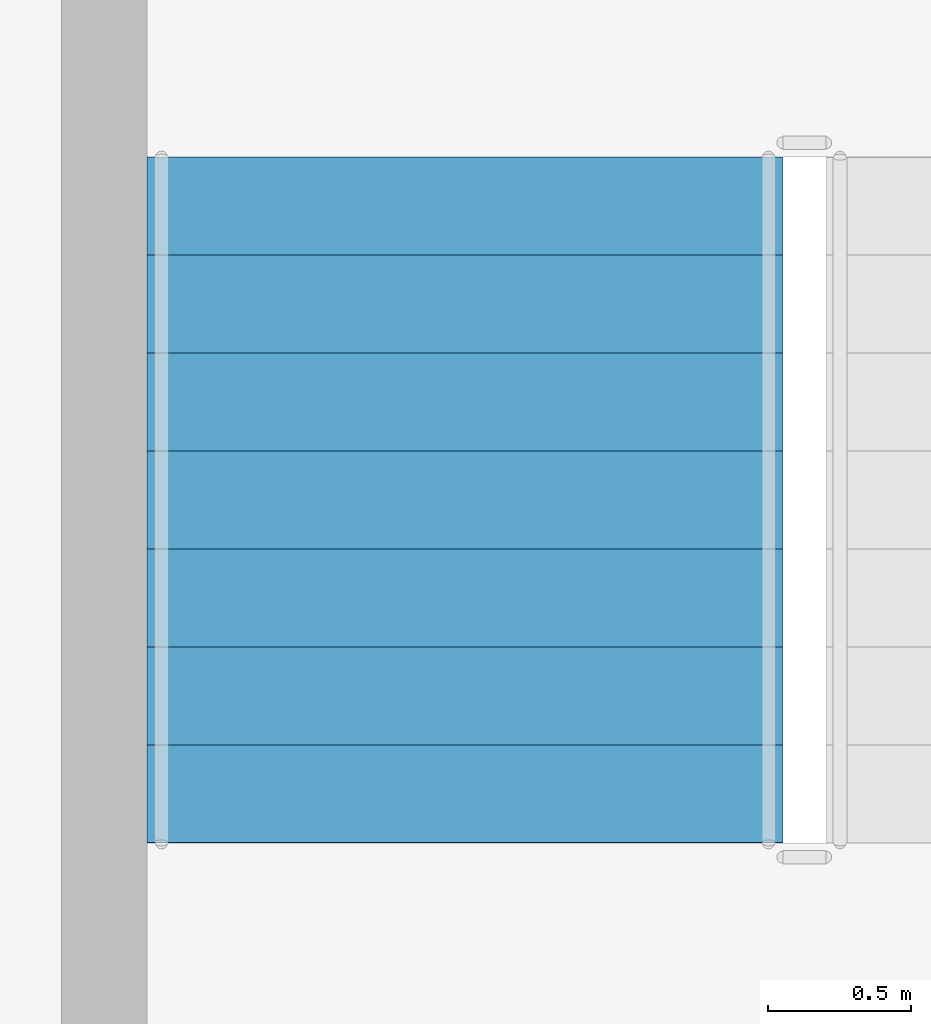
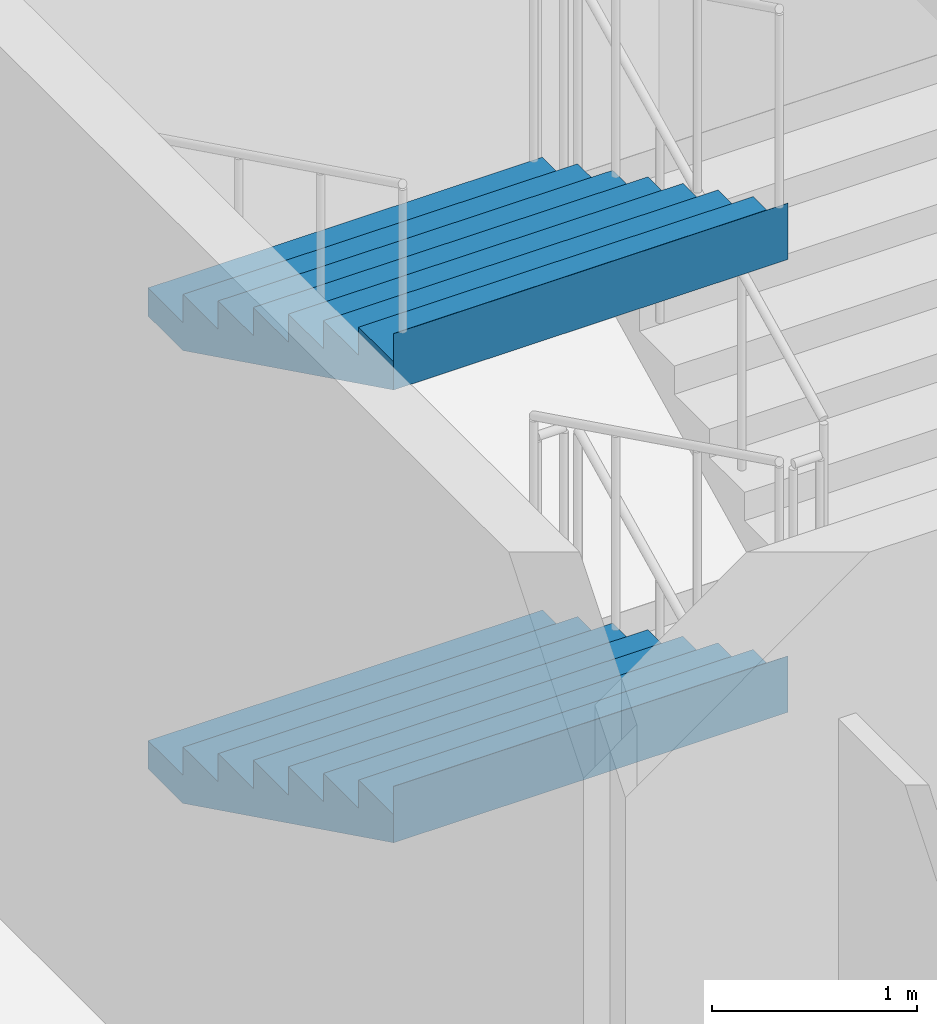
# One storey, part 36 of 42: 2 stair flights, 1 element without a shape of its own.
"""IFC4 building model written with IfcOpenShell, lengths in metres."""

from ifc_helpers import new_model, si_unit, direction, frame, origin, place, context, subcontext, project, spatial, triangles, material, type_object, element, aggregate, save


model = new_model("IFC4")

# Units and contexts
model_context = context("Model", 3, precision=1e-05, world=origin(), true_north=direction((0.0, 1.0)))
body_context = subcontext(model_context, "Body", "Model", "MODEL_VIEW")
ifc_project = project(units=[si_unit("LENGTHUNIT", "METRE"), si_unit("AREAUNIT", "SQUARE_METRE"), si_unit("VOLUMEUNIT", "CUBIC_METRE"), si_unit("PLANEANGLEUNIT", "RADIAN"), si_unit("MASSUNIT", "GRAM", prefix="KILO")], contexts=[model_context])

# Site, building, storey
site_placement = place(None, origin())
site = spatial("IfcSite", under=ifc_project, at=site_placement, CompositionType="ELEMENT")
building_placement = place(site_placement, origin())
building = spatial("IfcBuilding", under=site, at=building_placement, Name="Sahrelin Media Tower", CompositionType="ELEMENT")
storey_placement = place(building_placement, frame((0.0, 0.0, 26.0)))
storey = spatial("IfcBuildingStorey", under=building, at=storey_placement, Name="L03", CompositionType="ELEMENT", Elevation=26.0)

# Stair, stair flights
ifc_material = material(Name="Concrete C40/50", Category="concrete")
stair_type = type_object("IfcStairType", Name="Podium stair 2225", PredefinedType="HALF_TURN_STAIR", material=ifc_material)
stair_placement = place(storey_placement, origin())
stair = element("IfcStair", 1, at=stair_placement, inside=storey, type_object=stair_type, Name="L03 Podium stair PS2", PredefinedType="HALF_TURN_STAIR")
stair_flight_type = type_object("IfcStairFlightType", Name="Stair flight 2225", PredefinedType="STRAIGHT", material=ifc_material)
stair_flight_1_placement = place(storey_placement, frame((-11.83740234375, 33.02490234375, 1.35009765625), z_axis=(0.0, 0.0, 1.0), x_axis=(0.0, -1.0, 0.0)))
stair_flight_1 = element("IfcStairFlight", 2, at=stair_flight_1_placement, type_object=stair_flight_type, Name="PS2 flight 2", NumberOfRisers=8, NumberOfTreads=7, PredefinedType="STRAIGHT", RiserHeight=0.16875, TreadLength=0.342857143, context=body_context, shape_type="Tessellation", body=[
    triangles([(0.33935546875, 1.112548828125, 0.0), (0.33935546875, 0.794677734375, 0.0), (0.33935546875, 0.476806640625, 0.0), (0.33935546875, 0.158935546875, 0.0), (0.33935546875, -0.158935546875, 0.0), (0.33935546875, -0.476806640625, 0.0), (0.33935546875, -0.794677734375, 0.0), (0.33935546875, -1.112548828125, 0.0), (2.39990234375, 1.112548828125, 1.01416015625), (2.39990234375, 0.794677734375, 1.01416015625), (2.39990234375, 0.476806640625, 1.01416015625), (2.39990234375, 0.158935546875, 1.01416015625), (2.39990234375, -0.158935546875, 1.01416015625), (2.39990234375, -0.476806640625, 1.01416015625), (2.39990234375, -0.794677734375, 1.01416015625), (2.39990234375, -1.112548828125, 1.01416015625), (2.39990234375, 1.112548828125, 1.35009765625), (2.39990234375, 0.794677734375, 1.35009765625), (2.39990234375, 0.476806640625, 1.35009765625), (2.39990234375, 0.158935546875, 1.35009765625), (2.39990234375, -0.158935546875, 1.35009765625), (2.39990234375, -0.476806640625, 1.35009765625), (2.39990234375, -0.794677734375, 1.35009765625), (2.39990234375, -1.112548828125, 1.35009765625), (2.39794921875, 1.112548828125, 1.35009765625), (2.39794921875, 0.794677734375, 1.35009765625), (2.39794921875, 0.476806640625, 1.35009765625), (2.39794921875, 0.158935546875, 1.35009765625), (2.39794921875, -0.158935546875, 1.35009765625), (2.39794921875, -0.476806640625, 1.35009765625), (2.39794921875, -0.794677734375, 1.35009765625), (2.39794921875, -1.112548828125, 1.35009765625), (2.39794921875, 1.112548828125, 1.18115234375), (2.39794921875, 0.794677734375, 1.18115234375), (2.39794921875, 0.476806640625, 1.18115234375), (2.39794921875, 0.158935546875, 1.18115234375), (2.39794921875, -0.158935546875, 1.18115234375), (2.39794921875, -0.476806640625, 1.18115234375), (2.39794921875, -0.794677734375, 1.18115234375), (2.39794921875, -1.112548828125, 1.18115234375), (2.05712890625, 1.112548828125, 1.18115234375), (2.05712890625, 0.794677734375, 1.18115234375), (2.05712890625, 0.476806640625, 1.18115234375), (2.05712890625, 0.158935546875, 1.18115234375), (2.05712890625, -0.158935546875, 1.18115234375), (2.05712890625, -0.476806640625, 1.18115234375), (2.05712890625, -0.794677734375, 1.18115234375), (2.05712890625, -1.112548828125, 1.18115234375), (2.05712890625, 1.112548828125, 1.012451171875), (2.05712890625, 0.794677734375, 1.012451171875), (2.05712890625, 0.476806640625, 1.012451171875), (2.05712890625, 0.158935546875, 1.012451171875), (2.05712890625, -0.158935546875, 1.012451171875), (2.05712890625, -0.476806640625, 1.012451171875), (2.05712890625, -0.794677734375, 1.012451171875), (2.05712890625, -1.112548828125, 1.012451171875), (1.71435546875, 1.112548828125, 1.012451171875), (1.71435546875, 0.794677734375, 1.012451171875), (1.71435546875, 0.476806640625, 1.012451171875), (1.71435546875, 0.158935546875, 1.012451171875), (1.71435546875, -0.158935546875, 1.012451171875), (1.71435546875, -0.476806640625, 1.012451171875), (1.71435546875, -0.794677734375, 1.012451171875), (1.71435546875, -1.112548828125, 1.012451171875), (1.71435546875, 1.112548828125, 0.84375), (1.71435546875, 0.794677734375, 0.84375), (1.71435546875, 0.476806640625, 0.84375), (1.71435546875, 0.158935546875, 0.84375), (1.71435546875, -0.158935546875, 0.84375), (1.71435546875, -0.476806640625, 0.84375), (1.71435546875, -0.794677734375, 0.84375), (1.71435546875, -1.112548828125, 0.84375), (1.371337890625, 1.112548828125, 0.84375), (1.371337890625, 0.794677734375, 0.84375), (1.371337890625, 0.476806640625, 0.84375), (1.371337890625, 0.158935546875, 0.84375), (1.371337890625, -0.158935546875, 0.84375), (1.371337890625, -0.476806640625, 0.84375), (1.371337890625, -0.794677734375, 0.84375), (1.371337890625, -1.112548828125, 0.84375), (1.371337890625, 1.112548828125, 0.675048828125), (1.371337890625, 0.794677734375, 0.675048828125), (1.371337890625, 0.476806640625, 0.675048828125), (1.371337890625, 0.158935546875, 0.675048828125), (1.371337890625, -0.158935546875, 0.675048828125), (1.371337890625, -0.476806640625, 0.675048828125), (1.371337890625, -0.794677734375, 0.675048828125), (1.371337890625, -1.112548828125, 0.675048828125), (1.028564453125, 1.112548828125, 0.675048828125), (1.028564453125, 0.794677734375, 0.675048828125), (1.028564453125, 0.476806640625, 0.675048828125), (1.028564453125, 0.158935546875, 0.675048828125), (1.028564453125, -0.158935546875, 0.675048828125), (1.028564453125, -0.476806640625, 0.675048828125), (1.028564453125, -0.794677734375, 0.675048828125), (1.028564453125, -1.112548828125, 0.675048828125), (1.028564453125, 1.112548828125, 0.50634765625), (1.028564453125, 0.794677734375, 0.50634765625), (1.028564453125, 0.476806640625, 0.50634765625), (1.028564453125, 0.158935546875, 0.50634765625), (1.028564453125, -0.158935546875, 0.50634765625), (1.028564453125, -0.476806640625, 0.50634765625), (1.028564453125, -0.794677734375, 0.50634765625), (1.028564453125, -1.112548828125, 0.50634765625), (0.685791015625, 1.112548828125, 0.50634765625), (0.685791015625, 0.794677734375, 0.50634765625), (0.685791015625, 0.476806640625, 0.50634765625), (0.685791015625, 0.158935546875, 0.50634765625), (0.685791015625, -0.158935546875, 0.50634765625), (0.685791015625, -0.476806640625, 0.50634765625), (0.685791015625, -0.794677734375, 0.50634765625), (0.685791015625, -1.112548828125, 0.50634765625), (0.685791015625, 1.112548828125, 0.33740234375), (0.685791015625, 0.794677734375, 0.33740234375), (0.685791015625, 0.476806640625, 0.33740234375), (0.685791015625, 0.158935546875, 0.33740234375), (0.685791015625, -0.158935546875, 0.33740234375), (0.685791015625, -0.476806640625, 0.33740234375), (0.685791015625, -0.794677734375, 0.33740234375), (0.685791015625, -1.112548828125, 0.33740234375), (0.3427734375, 1.112548828125, 0.33740234375), (0.3427734375, 0.794677734375, 0.33740234375), (0.3427734375, 0.476806640625, 0.33740234375), (0.3427734375, 0.158935546875, 0.33740234375), (0.3427734375, -0.158935546875, 0.33740234375), (0.3427734375, -0.476806640625, 0.33740234375), (0.3427734375, -0.794677734375, 0.33740234375), (0.3427734375, -1.112548828125, 0.33740234375), (0.3427734375, 1.112548828125, 0.168701171875), (0.3427734375, 0.794677734375, 0.168701171875), (0.3427734375, 0.476806640625, 0.168701171875), (0.3427734375, 0.158935546875, 0.168701171875), (0.3427734375, -0.158935546875, 0.168701171875), (0.3427734375, -0.476806640625, 0.168701171875), (0.3427734375, -0.794677734375, 0.168701171875), (0.3427734375, -1.112548828125, 0.168701171875), (0.0, 1.112548828125, 0.168701171875), (0.0, 0.794677734375, 0.168701171875), (0.0, 0.476806640625, 0.168701171875), (0.0, 0.158935546875, 0.168701171875), (0.0, -0.158935546875, 0.168701171875), (0.0, -0.476806640625, 0.168701171875), (0.0, -0.794677734375, 0.168701171875), (0.0, -1.112548828125, 0.168701171875), (0.0, 1.112548828125, 0.0), (0.0, 0.794677734375, 0.0), (0.0, 0.476806640625, 0.0), (0.0, 0.158935546875, 0.0), (0.0, -0.158935546875, 0.0), (0.0, -0.476806640625, 0.0), (0.0, -0.794677734375, 0.0), (0.0, -1.112548828125, 0.0)], [[1, 9, 10], [1, 10, 2], [2, 10, 11], [2, 11, 3], [3, 11, 12], [3, 12, 4], [4, 12, 13], [4, 13, 5], [5, 13, 14], [5, 14, 6], [6, 14, 15], [6, 15, 7], [7, 15, 16], [7, 16, 8], [9, 17, 18], [9, 18, 10], [10, 18, 19], [10, 19, 11], [11, 19, 20], [11, 20, 12], [12, 20, 21], [12, 21, 13], [13, 21, 22], [13, 22, 14], [14, 22, 23], [14, 23, 15], [15, 23, 24], [15, 24, 16], [17, 25, 26], [17, 26, 18], [18, 26, 27], [18, 27, 19], [19, 27, 28], [19, 28, 20], [20, 28, 29], [20, 29, 21], [21, 29, 30], [21, 30, 22], [22, 30, 31], [22, 31, 23], [23, 31, 32], [23, 32, 24], [25, 33, 34], [25, 34, 26], [26, 34, 35], [26, 35, 27], [27, 35, 36], [27, 36, 28], [28, 36, 37], [28, 37, 29], [29, 37, 38], [29, 38, 30], [30, 38, 39], [30, 39, 31], [31, 39, 40], [31, 40, 32], [33, 41, 42], [33, 42, 34], [34, 42, 43], [34, 43, 35], [35, 43, 44], [35, 44, 36], [36, 44, 45], [36, 45, 37], [37, 45, 46], [37, 46, 38], [38, 46, 47], [38, 47, 39], [39, 47, 48], [39, 48, 40], [41, 49, 50], [41, 50, 42], [42, 50, 51], [42, 51, 43], [43, 51, 52], [43, 52, 44], [44, 52, 53], [44, 53, 45], [45, 53, 54], [45, 54, 46], [46, 54, 55], [46, 55, 47], [47, 55, 56], [47, 56, 48], [49, 57, 58], [49, 58, 50], [50, 58, 59], [50, 59, 51], [51, 59, 60], [51, 60, 52], [52, 60, 61], [52, 61, 53], [53, 61, 62], [53, 62, 54], [54, 62, 63], [54, 63, 55], [55, 63, 64], [55, 64, 56], [57, 65, 66], [57, 66, 58], [58, 66, 67], [58, 67, 59], [59, 67, 68], [59, 68, 60], [60, 68, 69], [60, 69, 61], [61, 69, 70], [61, 70, 62], [62, 70, 71], [62, 71, 63], [63, 71, 72], [63, 72, 64], [65, 73, 74], [65, 74, 66], [66, 74, 75], [66, 75, 67], [67, 75, 76], [67, 76, 68], [68, 76, 77], [68, 77, 69], [69, 77, 78], [69, 78, 70], [70, 78, 79], [70, 79, 71], [71, 79, 80], [71, 80, 72], [73, 81, 82], [73, 82, 74], [74, 82, 83], [74, 83, 75], [75, 83, 84], [75, 84, 76], [76, 84, 85], [76, 85, 77], [77, 85, 86], [77, 86, 78], [78, 86, 87], [78, 87, 79], [79, 87, 88], [79, 88, 80], [81, 89, 90], [81, 90, 82], [82, 90, 91], [82, 91, 83], [83, 91, 92], [83, 92, 84], [84, 92, 93], [84, 93, 85], [85, 93, 94], [85, 94, 86], [86, 94, 95], [86, 95, 87], [87, 95, 96], [87, 96, 88], [89, 97, 98], [89, 98, 90], [90, 98, 99], [90, 99, 91], [91, 99, 100], [91, 100, 92], [92, 100, 101], [92, 101, 93], [93, 101, 102], [93, 102, 94], [94, 102, 103], [94, 103, 95], [95, 103, 104], [95, 104, 96], [97, 105, 106], [97, 106, 98], [98, 106, 107], [98, 107, 99], [99, 107, 108], [99, 108, 100], [100, 108, 109], [100, 109, 101], [101, 109, 110], [101, 110, 102], [102, 110, 111], [102, 111, 103], [103, 111, 112], [103, 112, 104], [105, 113, 114], [105, 114, 106], [106, 114, 115], [106, 115, 107], [107, 115, 116], [107, 116, 108], [108, 116, 117], [108, 117, 109], [109, 117, 118], [109, 118, 110], [110, 118, 119], [110, 119, 111], [111, 119, 120], [111, 120, 112], [113, 121, 122], [113, 122, 114], [114, 122, 123], [114, 123, 115], [115, 123, 124], [115, 124, 116], [116, 124, 125], [116, 125, 117], [117, 125, 126], [117, 126, 118], [118, 126, 127], [118, 127, 119], [119, 127, 128], [119, 128, 120], [121, 129, 130], [121, 130, 122], [122, 130, 131], [122, 131, 123], [123, 131, 132], [123, 132, 124], [124, 132, 133], [124, 133, 125], [125, 133, 134], [125, 134, 126], [126, 134, 135], [126, 135, 127], [127, 135, 136], [127, 136, 128], [129, 137, 138], [129, 138, 130], [130, 138, 139], [130, 139, 131], [131, 139, 140], [131, 140, 132], [132, 140, 141], [132, 141, 133], [133, 141, 142], [133, 142, 134], [134, 142, 143], [134, 143, 135], [135, 143, 144], [135, 144, 136], [137, 145, 146], [137, 146, 138], [138, 146, 147], [138, 147, 139], [139, 147, 148], [139, 148, 140], [140, 148, 149], [140, 149, 141], [141, 149, 150], [141, 150, 142], [142, 150, 151], [142, 151, 143], [143, 151, 152], [143, 152, 144], [145, 1, 2], [145, 2, 146], [146, 2, 3], [146, 3, 147], [147, 3, 4], [147, 4, 148], [148, 4, 5], [148, 5, 149], [149, 5, 6], [149, 6, 150], [150, 6, 7], [150, 7, 151], [151, 7, 8], [151, 8, 152], [8, 144, 152], [1, 145, 137], [136, 120, 128], [129, 121, 113], [120, 104, 112], [113, 105, 97], [104, 88, 96], [97, 89, 81], [88, 72, 80], [81, 73, 65], [72, 56, 64], [65, 57, 49], [56, 40, 48], [49, 41, 33], [40, 24, 32], [33, 25, 17], [8, 136, 144], [1, 137, 129], [8, 88, 104], [1, 97, 81], [40, 16, 24], [33, 17, 9], [120, 136, 8], [113, 1, 129], [16, 72, 88], [9, 81, 65], [56, 16, 40], [49, 33, 9], [104, 120, 8], [97, 1, 113], [72, 16, 56], [65, 49, 9], [8, 16, 88], [1, 81, 9]], closed=True),
])
stair_flight_2_placement = place(storey_placement, frame((-11.83740234375, 33.02490234375, 4.050048828125), z_axis=(0.0, 0.0, 1.0), x_axis=(0.0, -1.0, 0.0)))
stair_flight_2 = element("IfcStairFlight", 3, at=stair_flight_2_placement, type_object=stair_flight_type, Name="PS2 flight 4", NumberOfRisers=8, NumberOfTreads=7, PredefinedType="STRAIGHT", RiserHeight=0.16875, TreadLength=0.342857143, context=body_context, shape_type="Tessellation", body=[
    triangles([(0.33935546875, 1.112548828125, 0.0), (0.33935546875, 0.794677734375, 0.0), (0.33935546875, 0.476806640625, 0.0), (0.33935546875, 0.158935546875, 0.0), (0.33935546875, -0.158935546875, 0.0), (0.33935546875, -0.476806640625, 0.0), (0.33935546875, -0.794677734375, 0.0), (0.33935546875, -1.112548828125, 0.0), (2.39990234375, 1.112548828125, 1.01416015625), (2.39990234375, 0.794677734375, 1.01416015625), (2.39990234375, 0.476806640625, 1.01416015625), (2.39990234375, 0.158935546875, 1.01416015625), (2.39990234375, -0.158935546875, 1.01416015625), (2.39990234375, -0.476806640625, 1.01416015625), (2.39990234375, -0.794677734375, 1.01416015625), (2.39990234375, -1.112548828125, 1.01416015625), (2.39990234375, 1.112548828125, 1.35009765625), (2.39990234375, 0.794677734375, 1.35009765625), (2.39990234375, 0.476806640625, 1.35009765625), (2.39990234375, 0.158935546875, 1.35009765625), (2.39990234375, -0.158935546875, 1.35009765625), (2.39990234375, -0.476806640625, 1.35009765625), (2.39990234375, -0.794677734375, 1.35009765625), (2.39990234375, -1.112548828125, 1.35009765625), (2.39794921875, 1.112548828125, 1.35009765625), (2.39794921875, 0.794677734375, 1.35009765625), (2.39794921875, 0.476806640625, 1.35009765625), (2.39794921875, 0.158935546875, 1.35009765625), (2.39794921875, -0.158935546875, 1.35009765625), (2.39794921875, -0.476806640625, 1.35009765625), (2.39794921875, -0.794677734375, 1.35009765625), (2.39794921875, -1.112548828125, 1.35009765625), (2.39794921875, 1.112548828125, 1.18115234375), (2.39794921875, 0.794677734375, 1.18115234375), (2.39794921875, 0.476806640625, 1.18115234375), (2.39794921875, 0.158935546875, 1.18115234375), (2.39794921875, -0.158935546875, 1.18115234375), (2.39794921875, -0.476806640625, 1.18115234375), (2.39794921875, -0.794677734375, 1.18115234375), (2.39794921875, -1.112548828125, 1.18115234375), (2.05712890625, 1.112548828125, 1.18115234375), (2.05712890625, 0.794677734375, 1.18115234375), (2.05712890625, 0.476806640625, 1.18115234375), (2.05712890625, 0.158935546875, 1.18115234375), (2.05712890625, -0.158935546875, 1.18115234375), (2.05712890625, -0.476806640625, 1.18115234375), (2.05712890625, -0.794677734375, 1.18115234375), (2.05712890625, -1.112548828125, 1.18115234375), (2.05712890625, 1.112548828125, 1.012451171875), (2.05712890625, 0.794677734375, 1.012451171875), (2.05712890625, 0.476806640625, 1.012451171875), (2.05712890625, 0.158935546875, 1.012451171875), (2.05712890625, -0.158935546875, 1.012451171875), (2.05712890625, -0.476806640625, 1.012451171875), (2.05712890625, -0.794677734375, 1.012451171875), (2.05712890625, -1.112548828125, 1.012451171875), (1.71435546875, 1.112548828125, 1.012451171875), (1.71435546875, 0.794677734375, 1.012451171875), (1.71435546875, 0.476806640625, 1.012451171875), (1.71435546875, 0.158935546875, 1.012451171875), (1.71435546875, -0.158935546875, 1.012451171875), (1.71435546875, -0.476806640625, 1.012451171875), (1.71435546875, -0.794677734375, 1.012451171875), (1.71435546875, -1.112548828125, 1.012451171875), (1.71435546875, 1.112548828125, 0.84375), (1.71435546875, 0.794677734375, 0.84375), (1.71435546875, 0.476806640625, 0.84375), (1.71435546875, 0.158935546875, 0.84375), (1.71435546875, -0.158935546875, 0.84375), (1.71435546875, -0.476806640625, 0.84375), (1.71435546875, -0.794677734375, 0.84375), (1.71435546875, -1.112548828125, 0.84375), (1.371337890625, 1.112548828125, 0.84375), (1.371337890625, 0.794677734375, 0.84375), (1.371337890625, 0.476806640625, 0.84375), (1.371337890625, 0.158935546875, 0.84375), (1.371337890625, -0.158935546875, 0.84375), (1.371337890625, -0.476806640625, 0.84375), (1.371337890625, -0.794677734375, 0.84375), (1.371337890625, -1.112548828125, 0.84375), (1.371337890625, 1.112548828125, 0.675048828125), (1.371337890625, 0.794677734375, 0.675048828125), (1.371337890625, 0.476806640625, 0.675048828125), (1.371337890625, 0.158935546875, 0.675048828125), (1.371337890625, -0.158935546875, 0.675048828125), (1.371337890625, -0.476806640625, 0.675048828125), (1.371337890625, -0.794677734375, 0.675048828125), (1.371337890625, -1.112548828125, 0.675048828125), (1.028564453125, 1.112548828125, 0.675048828125), (1.028564453125, 0.794677734375, 0.675048828125), (1.028564453125, 0.476806640625, 0.675048828125), (1.028564453125, 0.158935546875, 0.675048828125), (1.028564453125, -0.158935546875, 0.675048828125), (1.028564453125, -0.476806640625, 0.675048828125), (1.028564453125, -0.794677734375, 0.675048828125), (1.028564453125, -1.112548828125, 0.675048828125), (1.028564453125, 1.112548828125, 0.50634765625), (1.028564453125, 0.794677734375, 0.50634765625), (1.028564453125, 0.476806640625, 0.50634765625), (1.028564453125, 0.158935546875, 0.50634765625), (1.028564453125, -0.158935546875, 0.50634765625), (1.028564453125, -0.476806640625, 0.50634765625), (1.028564453125, -0.794677734375, 0.50634765625), (1.028564453125, -1.112548828125, 0.50634765625), (0.685791015625, 1.112548828125, 0.50634765625), (0.685791015625, 0.794677734375, 0.50634765625), (0.685791015625, 0.476806640625, 0.50634765625), (0.685791015625, 0.158935546875, 0.50634765625), (0.685791015625, -0.158935546875, 0.50634765625), (0.685791015625, -0.476806640625, 0.50634765625), (0.685791015625, -0.794677734375, 0.50634765625), (0.685791015625, -1.112548828125, 0.50634765625), (0.685791015625, 1.112548828125, 0.33740234375), (0.685791015625, 0.794677734375, 0.33740234375), (0.685791015625, 0.476806640625, 0.33740234375), (0.685791015625, 0.158935546875, 0.33740234375), (0.685791015625, -0.158935546875, 0.33740234375), (0.685791015625, -0.476806640625, 0.33740234375), (0.685791015625, -0.794677734375, 0.33740234375), (0.685791015625, -1.112548828125, 0.33740234375), (0.3427734375, 1.112548828125, 0.33740234375), (0.3427734375, 0.794677734375, 0.33740234375), (0.3427734375, 0.476806640625, 0.33740234375), (0.3427734375, 0.158935546875, 0.33740234375), (0.3427734375, -0.158935546875, 0.33740234375), (0.3427734375, -0.476806640625, 0.33740234375), (0.3427734375, -0.794677734375, 0.33740234375), (0.3427734375, -1.112548828125, 0.33740234375), (0.3427734375, 1.112548828125, 0.168701171875), (0.3427734375, 0.794677734375, 0.168701171875), (0.3427734375, 0.476806640625, 0.168701171875), (0.3427734375, 0.158935546875, 0.168701171875), (0.3427734375, -0.158935546875, 0.168701171875), (0.3427734375, -0.476806640625, 0.168701171875), (0.3427734375, -0.794677734375, 0.168701171875), (0.3427734375, -1.112548828125, 0.168701171875), (0.0, 1.112548828125, 0.168701171875), (0.0, 0.794677734375, 0.168701171875), (0.0, 0.476806640625, 0.168701171875), (0.0, 0.158935546875, 0.168701171875), (0.0, -0.158935546875, 0.168701171875), (0.0, -0.476806640625, 0.168701171875), (0.0, -0.794677734375, 0.168701171875), (0.0, -1.112548828125, 0.168701171875), (0.0, 1.112548828125, 0.0), (0.0, 0.794677734375, 0.0), (0.0, 0.476806640625, 0.0), (0.0, 0.158935546875, 0.0), (0.0, -0.158935546875, 0.0), (0.0, -0.476806640625, 0.0), (0.0, -0.794677734375, 0.0), (0.0, -1.112548828125, 0.0)], [[1, 9, 10], [1, 10, 2], [2, 10, 11], [2, 11, 3], [3, 11, 12], [3, 12, 4], [4, 12, 13], [4, 13, 5], [5, 13, 14], [5, 14, 6], [6, 14, 15], [6, 15, 7], [7, 15, 16], [7, 16, 8], [9, 17, 18], [9, 18, 10], [10, 18, 19], [10, 19, 11], [11, 19, 20], [11, 20, 12], [12, 20, 21], [12, 21, 13], [13, 21, 22], [13, 22, 14], [14, 22, 23], [14, 23, 15], [15, 23, 24], [15, 24, 16], [17, 25, 26], [17, 26, 18], [18, 26, 27], [18, 27, 19], [19, 27, 28], [19, 28, 20], [20, 28, 29], [20, 29, 21], [21, 29, 30], [21, 30, 22], [22, 30, 31], [22, 31, 23], [23, 31, 32], [23, 32, 24], [25, 33, 34], [25, 34, 26], [26, 34, 35], [26, 35, 27], [27, 35, 36], [27, 36, 28], [28, 36, 37], [28, 37, 29], [29, 37, 38], [29, 38, 30], [30, 38, 39], [30, 39, 31], [31, 39, 40], [31, 40, 32], [33, 41, 42], [33, 42, 34], [34, 42, 43], [34, 43, 35], [35, 43, 44], [35, 44, 36], [36, 44, 45], [36, 45, 37], [37, 45, 46], [37, 46, 38], [38, 46, 47], [38, 47, 39], [39, 47, 48], [39, 48, 40], [41, 49, 50], [41, 50, 42], [42, 50, 51], [42, 51, 43], [43, 51, 52], [43, 52, 44], [44, 52, 53], [44, 53, 45], [45, 53, 54], [45, 54, 46], [46, 54, 55], [46, 55, 47], [47, 55, 56], [47, 56, 48], [49, 57, 58], [49, 58, 50], [50, 58, 59], [50, 59, 51], [51, 59, 60], [51, 60, 52], [52, 60, 61], [52, 61, 53], [53, 61, 62], [53, 62, 54], [54, 62, 63], [54, 63, 55], [55, 63, 64], [55, 64, 56], [57, 65, 66], [57, 66, 58], [58, 66, 67], [58, 67, 59], [59, 67, 68], [59, 68, 60], [60, 68, 69], [60, 69, 61], [61, 69, 70], [61, 70, 62], [62, 70, 71], [62, 71, 63], [63, 71, 72], [63, 72, 64], [65, 73, 74], [65, 74, 66], [66, 74, 75], [66, 75, 67], [67, 75, 76], [67, 76, 68], [68, 76, 77], [68, 77, 69], [69, 77, 78], [69, 78, 70], [70, 78, 79], [70, 79, 71], [71, 79, 80], [71, 80, 72], [73, 81, 82], [73, 82, 74], [74, 82, 83], [74, 83, 75], [75, 83, 84], [75, 84, 76], [76, 84, 85], [76, 85, 77], [77, 85, 86], [77, 86, 78], [78, 86, 87], [78, 87, 79], [79, 87, 88], [79, 88, 80], [81, 89, 90], [81, 90, 82], [82, 90, 91], [82, 91, 83], [83, 91, 92], [83, 92, 84], [84, 92, 93], [84, 93, 85], [85, 93, 94], [85, 94, 86], [86, 94, 95], [86, 95, 87], [87, 95, 96], [87, 96, 88], [89, 97, 98], [89, 98, 90], [90, 98, 99], [90, 99, 91], [91, 99, 100], [91, 100, 92], [92, 100, 101], [92, 101, 93], [93, 101, 102], [93, 102, 94], [94, 102, 103], [94, 103, 95], [95, 103, 104], [95, 104, 96], [97, 105, 106], [97, 106, 98], [98, 106, 107], [98, 107, 99], [99, 107, 108], [99, 108, 100], [100, 108, 109], [100, 109, 101], [101, 109, 110], [101, 110, 102], [102, 110, 111], [102, 111, 103], [103, 111, 112], [103, 112, 104], [105, 113, 114], [105, 114, 106], [106, 114, 115], [106, 115, 107], [107, 115, 116], [107, 116, 108], [108, 116, 117], [108, 117, 109], [109, 117, 118], [109, 118, 110], [110, 118, 119], [110, 119, 111], [111, 119, 120], [111, 120, 112], [113, 121, 122], [113, 122, 114], [114, 122, 123], [114, 123, 115], [115, 123, 124], [115, 124, 116], [116, 124, 125], [116, 125, 117], [117, 125, 126], [117, 126, 118], [118, 126, 127], [118, 127, 119], [119, 127, 128], [119, 128, 120], [121, 129, 130], [121, 130, 122], [122, 130, 131], [122, 131, 123], [123, 131, 132], [123, 132, 124], [124, 132, 133], [124, 133, 125], [125, 133, 134], [125, 134, 126], [126, 134, 135], [126, 135, 127], [127, 135, 136], [127, 136, 128], [129, 137, 138], [129, 138, 130], [130, 138, 139], [130, 139, 131], [131, 139, 140], [131, 140, 132], [132, 140, 141], [132, 141, 133], [133, 141, 142], [133, 142, 134], [134, 142, 143], [134, 143, 135], [135, 143, 144], [135, 144, 136], [137, 145, 146], [137, 146, 138], [138, 146, 147], [138, 147, 139], [139, 147, 148], [139, 148, 140], [140, 148, 149], [140, 149, 141], [141, 149, 150], [141, 150, 142], [142, 150, 151], [142, 151, 143], [143, 151, 152], [143, 152, 144], [145, 1, 2], [145, 2, 146], [146, 2, 3], [146, 3, 147], [147, 3, 4], [147, 4, 148], [148, 4, 5], [148, 5, 149], [149, 5, 6], [149, 6, 150], [150, 6, 7], [150, 7, 151], [151, 7, 8], [151, 8, 152], [8, 144, 152], [1, 145, 137], [136, 120, 128], [129, 121, 113], [120, 104, 112], [113, 105, 97], [104, 88, 96], [97, 89, 81], [88, 72, 80], [81, 73, 65], [72, 56, 64], [65, 57, 49], [56, 40, 48], [49, 41, 33], [40, 24, 32], [33, 25, 17], [8, 136, 144], [1, 137, 129], [8, 88, 104], [1, 97, 81], [40, 16, 24], [33, 17, 9], [120, 136, 8], [113, 1, 129], [16, 72, 88], [9, 81, 65], [56, 16, 40], [49, 33, 9], [104, 120, 8], [97, 1, 113], [72, 16, 56], [65, 49, 9], [8, 16, 88], [1, 81, 9]], closed=True),
])
aggregate(stair, [stair_flight_1, stair_flight_2])

save(model, "model.ifc")
